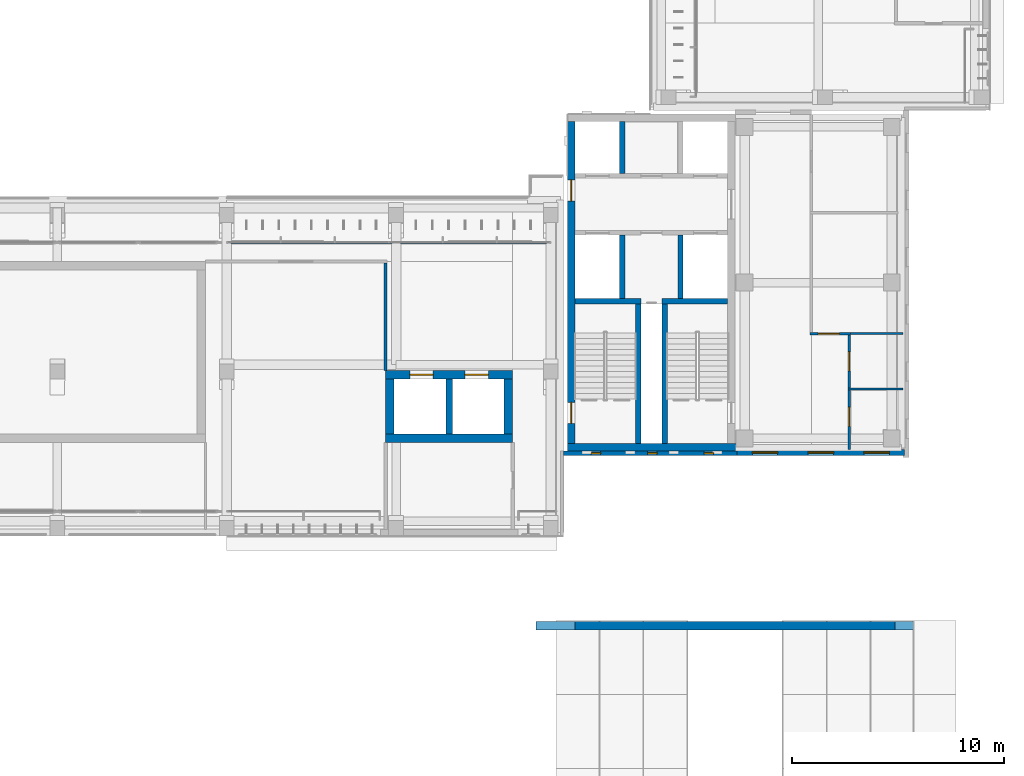
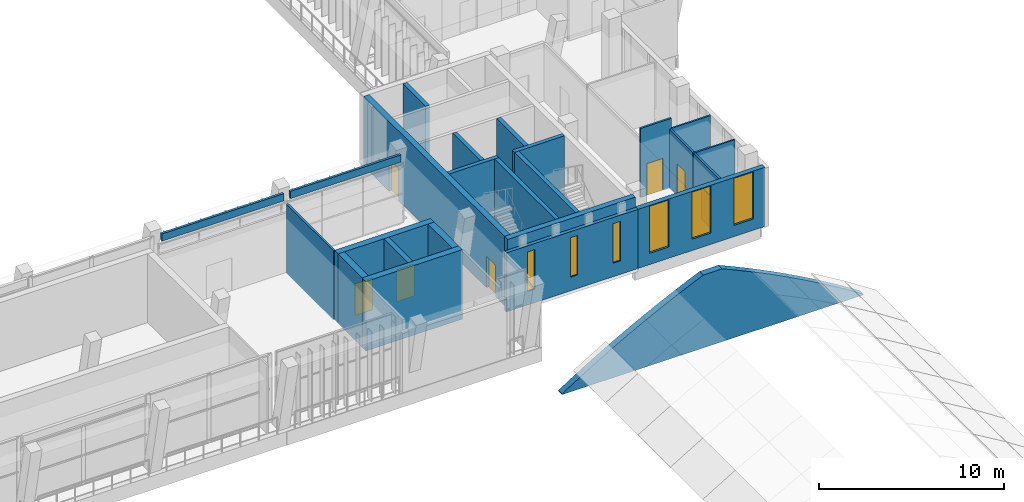
# One storey, part 44 of 74: 24 walls, 7 doors, 6 windows, 13 openings.
"""IFC4 building model written with IfcOpenShell, lengths in metres."""

import ifcopenshell
import ifcopenshell.guid

model = None  # the IFC model being written
_history = None  # IfcOwnerHistory: only IFC2X3 demands one
_inside = {}  # id of a spatial element -> (the spatial element, [elements in it])
_under = {}  # id of a project, library or spatial element -> (it, [spatial elements below it])
_declared = {}  # id of a project -> (the project, [libraries it declares])
_typed = {}  # id of a type object -> (the type object, [elements of that type])
_made_of = {}  # id of a material, layer set ... -> (it, [elements and type objects made of it])


def new_model(schema):
    """Start an empty IFC model of exactly this schema.

    Asked for "IFC4X3", IfcOpenShell would pick the latest addendum, in which some entities
    have other attributes; the version numbers below select the first issue.
    IFC2X3 requires an IfcOwnerHistory on every rooted entity: one is made here for all.
    """
    global model, _history
    if schema == "IFC4X3":
        model = ifcopenshell.file(schema_version=(4, 3, 0, 0))
    else:
        model = ifcopenshell.file(schema=schema)
    _inside.clear()
    _under.clear()
    _declared.clear()
    _typed.clear()
    _made_of.clear()
    _history = None
    if model.schema == "IFC2X3":
        org = make("IfcOrganization", Name="unknown")
        user = make(
            "IfcPersonAndOrganization",
            ThePerson=make("IfcPerson", FamilyName="unknown"),
            TheOrganization=org,
        )
        app = make(
            "IfcApplication",
            ApplicationDeveloper=org,
            Version="unknown",
            ApplicationFullName="unknown",
            ApplicationIdentifier="unknown",
        )
        _history = make(
            "IfcOwnerHistory",
            OwningUser=user,
            OwningApplication=app,
            ChangeAction="ADDED",
            CreationDate=0,
        )
    return model


def make(cls, **values):
    """One entity of the class cls with the attributes given. An attribute that is None is left unset."""
    return model.create_entity(
        cls, **{name: value for name, value in values.items() if value is not None}
    )


def rooted(cls, **values):
    """An entity with a GlobalId (a new one), such as an element, a storey or a relation."""
    return make(cls, GlobalId=ifcopenshell.guid.new(), OwnerHistory=_history, **values)


def si_unit(unit_type, name, prefix=None):
    """IfcSIUnit, for example si_unit("LENGTHUNIT", "METRE", prefix="MILLI")."""
    return make("IfcSIUnit", UnitType=unit_type, Prefix=prefix, Name=name)


def assignment(units):
    """IfcUnitAssignment: the units of a project."""
    return None if units is None else make("IfcUnitAssignment", Units=units)


def point(xyz):
    """IfcCartesianPoint."""
    return None if xyz is None else make("IfcCartesianPoint", Coordinates=xyz)


def direction(xyz):
    """IfcDirection."""
    return None if xyz is None else make("IfcDirection", DirectionRatios=xyz)


def frame(location, z_axis=None, x_axis=None):
    """IfcAxis2Placement3D, a coordinate frame: its origin and axes. An axis left out is left unset."""
    return make(
        "IfcAxis2Placement3D",
        Location=point(location),
        Axis=direction(z_axis),
        RefDirection=direction(x_axis),
    )


def frame_2d(location, x_axis=None):
    """IfcAxis2Placement2D, a coordinate frame in the plane: its origin and x axis."""
    return make(
        "IfcAxis2Placement2D", Location=point(location), RefDirection=direction(x_axis)
    )


def origin():
    """The frame at (0, 0, 0) with its axes left unset."""
    return frame((0.0, 0.0, 0.0))


def place(relative_to, where):
    """IfcLocalPlacement: puts the frame where relative to a parent placement (None: the world)."""
    return make(
        "IfcLocalPlacement", PlacementRelTo=relative_to, RelativePlacement=where
    )


def context(
    kind, dimensions, precision=None, world=None, true_north=None, identifier=None
):
    """IfcGeometricRepresentationContext, for example the 3D "Model" context."""
    return make(
        "IfcGeometricRepresentationContext",
        ContextIdentifier=identifier,
        ContextType=kind,
        CoordinateSpaceDimension=dimensions,
        Precision=precision,
        WorldCoordinateSystem=world,
        TrueNorth=true_north,
    )


def subcontext(parent, identifier, kind, view, scale=None):
    """IfcGeometricRepresentationSubContext, for example "Body" below "Model"."""
    return make(
        "IfcGeometricRepresentationSubContext",
        ContextIdentifier=identifier,
        ContextType=kind,
        ParentContext=parent,
        TargetScale=scale,
        TargetView=view,
    )


def project(units=None, contexts=None):
    """IfcProject with its units and contexts."""
    return rooted(
        "IfcProject",
        Name="project",
        RepresentationContexts=contexts,
        UnitsInContext=assignment(units),
    )


def spatial(cls, under=None, at=None, **own):
    """A site, building, storey or space (cls), placed at a placement, below another one or the project."""
    s = rooted(cls, ObjectPlacement=at, **own)
    if under is not None:
        _under.setdefault(under.id(), (under, []))[1].append(s)
    return s


def polyline(points):
    """IfcPolyline through the points."""
    return make("IfcPolyline", Points=[point(p) for p in points])


def profile(cls, at=None, kind="AREA", **sizes):
    """A parametric profile (cls). Its sizes go by their IFC names, for example OverallWidth=200.0."""
    return make(cls, ProfileType=kind, Position=at, **sizes)


def rectangle(**sizes):
    """IfcRectangleProfileDef."""
    return profile("IfcRectangleProfileDef", **sizes)


def outline(outer, holes=None, kind="AREA"):
    """IfcArbitraryClosedProfileDef: a profile drawn as a closed curve; with holes, ...WithVoids."""
    if holes is None:
        return make("IfcArbitraryClosedProfileDef", ProfileType=kind, OuterCurve=outer)
    return make(
        "IfcArbitraryProfileDefWithVoids",
        ProfileType=kind,
        OuterCurve=outer,
        InnerCurves=holes,
    )


def extrude(swept, where, along, depth):
    """IfcExtrudedAreaSolid: the profile swept, set in the frame where, extruded along a direction by depth."""
    return make(
        "IfcExtrudedAreaSolid",
        SweptArea=swept,
        Position=where,
        ExtrudedDirection=direction(along),
        Depth=depth,
    )


def shape(context_of_items, identifier, shape_type, items):
    """IfcShapeRepresentation: the items that make up one representation, for example the "Body"."""
    return make(
        "IfcShapeRepresentation",
        ContextOfItems=context_of_items,
        RepresentationIdentifier=identifier,
        RepresentationType=shape_type,
        Items=items,
    )


def material(Name=None, Category=None):
    """IfcMaterial."""
    return make("IfcMaterial", Name=Name, Category=Category)


def layer(
    of_material, thickness, ventilated=None, Name=None, Category=None, Priority=None
):
    """IfcMaterialLayer: one layer of a wall or slab, of a material (None: an air gap)."""
    return make(
        "IfcMaterialLayer",
        Material=of_material,
        LayerThickness=thickness,
        IsVentilated=ventilated,
        Name=Name,
        Category=Category,
        Priority=Priority,
    )


def layer_set(layers, Name=None):
    """IfcMaterialLayerSet."""
    return make("IfcMaterialLayerSet", MaterialLayers=layers, LayerSetName=Name)


def made_of(thing, what):
    """Note that an element or type object is made of a material, layer set ...; save() writes the relation."""
    if what is not None:
        _made_of.setdefault(what.id(), (what, []))[1].append(thing)
    return thing


def type_object(cls, material=None, **own):
    """A type object (cls), such as IfcWallType, which elements share."""
    return made_of(rooted(cls, **own), material)


def element(
    cls,
    number,
    at=None,
    inside=None,
    cuts=None,
    type_object=None,
    material=None,
    context=None,
    identifier="Body",
    shape_type=None,
    held_by="IfcProductDefinitionShape",
    body=None,
    shapes=None,
    **own,
):
    """One element of the class cls, such as IfcWall. Its Tag is "e" and its number.

    at: its placement. inside: the storey or other place that contains it. cuts: it is an
    opening in that element (IfcRelVoidsElement). A single representation is given by context,
    identifier, shape_type and body (its items); several are given by shapes. held_by: the class
    of the entity that holds the representations. save() writes the other relations.
    """
    e = rooted(cls, Tag="e%d" % number, ObjectPlacement=at, **own)
    if body is not None:
        shapes = [shape(context, identifier, shape_type, body)]
    if shapes is not None:
        e.Representation = make(held_by, Representations=shapes)
    if inside is not None:
        _inside.setdefault(inside.id(), (inside, []))[1].append(e)
    if cuts is not None:
        rooted(
            "IfcRelVoidsElement", RelatingBuildingElement=cuts, RelatedOpeningElement=e
        )
    if type_object is not None:
        _typed.setdefault(type_object.id(), (type_object, []))[1].append(e)
    return made_of(e, material)


def fill(opening, filler):
    """IfcRelFillsElement: the door or window that sits in an opening."""
    return rooted(
        "IfcRelFillsElement",
        RelatingOpeningElement=opening,
        RelatedBuildingElement=filler,
    )


def aggregate(whole, parts):
    """IfcRelAggregates: a whole, such as a stair, and the parts it consists of."""
    return rooted("IfcRelAggregates", RelatingObject=whole, RelatedObjects=parts)


def save(model, path):
    """Write the relations noted so far, then the file.

    IfcRelAggregates (storeys below a building ...), IfcRelContainedInSpatialStructure (elements
    in a storey), IfcRelDefinesByType, IfcRelAssociatesMaterial and IfcRelDeclares: one each for
    every whole, place, type object, material and project.
    """
    for whole, parts in _under.values():
        aggregate(whole, parts)
    for where, things in _inside.values():
        rooted(
            "IfcRelContainedInSpatialStructure",
            RelatedElements=things,
            RelatingStructure=where,
        )
    for kind, things in _typed.values():
        rooted("IfcRelDefinesByType", RelatedObjects=things, RelatingType=kind)
    for what, things in _made_of.values():
        rooted("IfcRelAssociatesMaterial", RelatedObjects=things, RelatingMaterial=what)
    for by, libraries in _declared.values():
        rooted("IfcRelDeclares", RelatingContext=by, RelatedDefinitions=libraries)
    model.write(path)


model = new_model("IFC4")

# Units and contexts
model_context = context("Model", 3, precision=1e-05, world=origin(), true_north=direction((0.0, 1.0)))
body_context = subcontext(model_context, "Body", "Model", "MODEL_VIEW")
ifc_project = project(units=[si_unit("LENGTHUNIT", "METRE"), si_unit("AREAUNIT", "SQUARE_METRE"), si_unit("VOLUMEUNIT", "CUBIC_METRE"), si_unit("PLANEANGLEUNIT", "RADIAN"), si_unit("MASSUNIT", "GRAM", prefix="KILO")], contexts=[model_context])

# Site, building, storey
site_placement = place(None, origin())
site = spatial("IfcSite", under=ifc_project, at=site_placement, CompositionType="ELEMENT")
building_placement = place(site_placement, origin())
building = spatial("IfcBuilding", under=site, at=building_placement, Name="Lantern Court Media Centre", CompositionType="ELEMENT")
storey_placement = place(building_placement, frame((0.0, 0.0, 19.199951171875)))
storey = spatial("IfcBuildingStorey", under=building, at=storey_placement, Name="L04", CompositionType="ELEMENT", Elevation=19.199951171875)

# Wall
ifc_material_1 = material(Name="Gypsum board partition")
ifc_layer_1 = layer(ifc_material_1, 0.125)
ifc_layer_set_1 = layer_set([ifc_layer_1], Name="Gypsum board partition")
wall_type_1 = type_object("IfcWallType", Name="Corridor partition 125", PredefinedType="PARTITIONING", material=ifc_layer_set_1)
wall_1_placement = place(storey_placement, frame((71.5, 51.800048828125, 0.0), z_axis=(0.0, 0.0, 1.0), x_axis=(0.0, 1.0, 0.0)))
element("IfcWall", 1, at=wall_1_placement, inside=storey, type_object=wall_type_1, Name="L04 partition 010", PredefinedType="PARTITIONING", context=body_context, shape_type="SweptSolid", body=[
    extrude(rectangle(XDim=5.08740234375, YDim=0.125, at=frame_2d((2.543701171875, 0.0))), origin(), (0.0, 0.0, 1.0), 4.56005859375),
])

# Wall, opening, door
wall_2_placement = place(storey_placement, frame((91.53759765625, 53.5419921875, 0.0), z_axis=(0.0, 0.0, 1.0), x_axis=(1.0, 0.0, 0.0)))
wall_2 = element("IfcWall", 2, at=wall_2_placement, inside=storey, type_object=wall_type_1, Name="L04 partition 050", PredefinedType="PARTITIONING", context=body_context, shape_type="SweptSolid", body=[
    extrude(rectangle(XDim=1.9248046875, YDim=0.125, at=frame_2d((0.96240234375, 0.0))), origin(), (0.0, 0.0, 1.0), 4.56005859375),
])
opening_1_placement = place(wall_2_placement, frame((0.389892578125, 0.0, 0.0)))
opening_1 = element("IfcOpeningElement", 3, at=opening_1_placement, cuts=wall_2, Name="Opening L04-033", PredefinedType="OPENING", context=body_context, shape_type="SweptSolid", body=[
    extrude(rectangle(XDim=1.0, YDim=2.10009765625, at=frame_2d((0.5, 1.050048828125))), frame((0.0, 0.072509765625, 0.0), z_axis=(0.0, -1.0, 0.0), x_axis=(1.0, 0.0, 0.0)), (0.0, 0.0, 1.0), 0.14501953125),
])
ifc_material_2 = material(Name="Solid-core timber door leaf", Category="wood")
door_type_1 = type_object("IfcDoorType", Name="Single door 1000x2100", OperationType="NOTDEFINED", PredefinedType="DOOR", material=ifc_material_2)
door_1_placement = place(opening_1_placement, origin())
door_1 = element("IfcDoor", 4, at=door_1_placement, inside=storey, type_object=door_type_1, Name="L04 Children's and Youth Media Room door", OperationType="SINGLE_SWING_RIGHT", OverallHeight=2.10009765625, OverallWidth=1.0, PredefinedType="DOOR", context=body_context, shape_type="SweptSolid", body=[
    extrude(rectangle(XDim=1.0, YDim=2.10009765625, at=frame_2d((0.5, 1.050048828125))), frame((0.0, 0.02490234375, 0.0), z_axis=(0.0, -1.0, 0.0), x_axis=(1.0, 0.0, 0.0)), (0.0, 0.0, 1.0), 0.050048828125),
])
fill(opening_1, door_1)

# Wall, openings, doors
wall_3_placement = place(storey_placement, frame((93.39990234375, 48.080078125, 0.0), z_axis=(0.0, 0.0, 1.0), x_axis=(0.0, 1.0, 0.0)))
wall_3 = element("IfcWall", 5, at=wall_3_placement, inside=storey, type_object=wall_type_1, Name="L04 partition 053", PredefinedType="PARTITIONING", context=body_context, shape_type="SweptSolid", body=[
    extrude(rectangle(XDim=5.399658203125, YDim=0.125, at=frame_2d((2.69970703125, 0.0))), origin(), (0.0, 0.0, 1.0), 3.880126953125),
])
opening_2_placement = place(wall_3_placement, frame((1.08056640625, 0.0, 0.0)))
opening_2 = element("IfcOpeningElement", 6, at=opening_2_placement, cuts=wall_3, Name="Opening L04-035", PredefinedType="OPENING", context=body_context, shape_type="SweptSolid", body=[
    extrude(rectangle(XDim=0.89990234375, YDim=2.10009765625, at=frame_2d((0.449951171875, 1.050048828125))), frame((0.0, 0.072509765625, 0.0), z_axis=(0.0, -1.0, 0.0), x_axis=(1.0, 0.0, 0.0)), (0.0, 0.0, 1.0), 0.14501953125),
])
opening_3_placement = place(wall_3_placement, frame((3.70166015625, 0.0, 0.0)))
opening_3 = element("IfcOpeningElement", 7, at=opening_3_placement, cuts=wall_3, Name="Opening L04-036", PredefinedType="OPENING", context=body_context, shape_type="SweptSolid", body=[
    extrude(rectangle(XDim=0.89990234375, YDim=2.10009765625, at=frame_2d((0.449951171875, 1.050048828125))), frame((0.0, 0.072509765625, 0.0), z_axis=(0.0, -1.0, 0.0), x_axis=(1.0, 0.0, 0.0)), (0.0, 0.0, 1.0), 0.14501953125),
])
door_type_2 = type_object("IfcDoorType", Name="Single door 900x2100", OperationType="NOTDEFINED", PredefinedType="DOOR", material=ifc_material_2)
door_2_placement = place(opening_2_placement, frame((0.89990234375, 0.0, 0.0), z_axis=(0.0, 0.0, 1.0), x_axis=(-1.0, 0.0, 0.0)))
door_2 = element("IfcDoor", 8, at=door_2_placement, inside=storey, type_object=door_type_2, Name="L04 WC Male door", OperationType="SINGLE_SWING_RIGHT", OverallHeight=2.10009765625, OverallWidth=0.89990234375, PredefinedType="DOOR", context=body_context, shape_type="SweptSolid", body=[
    extrude(rectangle(XDim=0.89990234375, YDim=2.10009765625, at=frame_2d((0.449951171875, 1.050048828125))), frame((0.0, 0.02490234375, 0.0), z_axis=(0.0, -1.0, 0.0), x_axis=(1.0, 0.0, 0.0)), (0.0, 0.0, 1.0), 0.050048828125),
])
fill(opening_2, door_2)
door_3_placement = place(opening_3_placement, frame((0.89990234375, 0.0, 0.0), z_axis=(0.0, 0.0, 1.0), x_axis=(-1.0, 0.0, 0.0)))
door_3 = element("IfcDoor", 9, at=door_3_placement, inside=storey, type_object=door_type_2, Name="L04 WC Female door", OperationType="SINGLE_SWING_LEFT", OverallHeight=2.10009765625, OverallWidth=0.89990234375, PredefinedType="DOOR", context=body_context, shape_type="SweptSolid", body=[
    extrude(rectangle(XDim=0.89990234375, YDim=2.10009765625, at=frame_2d((0.449951171875, 1.050048828125))), frame((0.0, 0.02490234375, 0.0), z_axis=(0.0, -1.0, 0.0), x_axis=(1.0, 0.0, 0.0)), (0.0, 0.0, 1.0), 0.050048828125),
])
fill(opening_3, door_3)

# Walls
ifc_material_3 = material(Name="Limestone masonry, insulated", Category="masonry")
ifc_layer_2 = layer(ifc_material_3, 0.39990234375)
ifc_layer_set_2 = layer_set([ifc_layer_2], Name="Limestone masonry, insulated")
wall_type_2 = type_object("IfcWallType", Name="Hall upper gable wall, stone-faced masonry 400", PredefinedType="SOLIDWALL", material=ifc_layer_set_2)
wall_4_placement = place(storey_placement, frame((78.613525390625, 39.75, 0.0), z_axis=(0.0, 0.0, 1.0), x_axis=(1.0, 0.0, 0.0)))
element("IfcWall", 10, at=wall_4_placement, inside=storey, type_object=wall_type_2, Name="Studio Hall north gable L04", PredefinedType="SOLIDWALL", context=body_context, shape_type="SweptSolid", body=[
    extrude(outline(polyline([(0.0, 0.0), (18.77294921875, 0.0), (18.772705078125, 0.050048828125), (18.52587890625, 0.21044921875), (18.27880859375, 0.369140625), (18.03173828125, 0.52587890625), (17.784912109375, 0.68115234375), (17.53759765625, 0.834716796875), (17.290771484375, 0.986572265625), (17.043701171875, 1.136962890625), (16.796630859375, 1.28564453125), (16.5498046875, 1.4326171875), (16.302734375, 1.578125), (16.0556640625, 1.721923828125), (15.80859375, 1.8642578125), (15.561767578125, 2.0048828125), (15.314697265625, 2.14404296875), (15.067626953125, 2.28173828125), (14.820556640625, 2.41796875), (14.573486328125, 2.552734375), (14.32666015625, 2.685791015625), (14.07958984375, 2.8173828125), (13.83251953125, 2.947509765625), (13.585693359375, 3.076416015625), (13.338623046875, 3.20361328125), (13.091552734375, 3.329345703125), (12.844482421875, 3.453857421875), (12.597412109375, 3.57666015625), (12.3505859375, 3.6982421875), (12.103515625, 3.818359375), (11.8564453125, 3.937255859375), (11.609619140625, 4.054443359375), (11.362548828125, 4.170654296875), (11.115478515625, 4.28515625), (10.868408203125, 4.3984375), (10.621337890625, 4.510498046875), (10.37451171875, 4.620849609375), (10.12744140625, 4.730224609375), (9.968017578125, 4.800048828125), (9.88037109375, 4.800048828125), (9.63330078125, 4.800048828125), (9.386474609375, 4.800048828125), (9.139404296875, 4.800048828125), (8.892333984375, 4.800048828125), (8.8046875, 4.800048828125), (8.6455078125, 4.730224609375), (8.3984375, 4.620849609375), (8.1513671875, 4.510498046875), (7.904296875, 4.3984375), (7.6572265625, 4.28515625), (7.410400390625, 4.170654296875), (7.163330078125, 4.054443359375), (6.916259765625, 3.937255859375), (6.669189453125, 3.818359375), (6.42236328125, 3.6982421875), (6.17529296875, 3.57666015625), (5.92822265625, 3.453857421875), (5.68115234375, 3.329345703125), (5.43408203125, 3.20361328125), (5.187255859375, 3.076416015625), (4.940185546875, 2.947509765625), (4.693115234375, 2.8173828125), (4.4462890625, 2.685791015625), (4.19921875, 2.552734375), (3.9521484375, 2.41796875), (3.705078125, 2.28173828125), (3.4580078125, 2.14404296875), (3.211181640625, 2.0048828125), (2.964111328125, 1.8642578125), (2.717041015625, 1.721923828125), (2.47021484375, 1.578125), (2.22314453125, 1.4326171875), (1.97607421875, 1.28564453125), (1.72900390625, 1.136962890625), (1.482177734375, 0.986572265625), (1.235107421875, 0.834716796875), (0.988037109375, 0.68115234375), (0.740966796875, 0.52587890625), (0.493896484375, 0.369140625), (0.2470703125, 0.21044921875), (0.0, 0.050048828125), (0.0, 0.0)])), frame((0.0, 0.199951171875, 0.0), z_axis=(0.0, -1.0, 0.0), x_axis=(1.0, 0.0, 0.0)), (0.0, 0.0, 1.0), 0.39990234375),
])
ifc_material_4 = material(Name="Insulated rendered blockwork", Category="masonry")
ifc_layer_3 = layer(ifc_material_4, 0.14990234375)
ifc_layer_set_3 = layer_set([ifc_layer_3], Name="Insulated rendered blockwork")
wall_type_3 = type_object("IfcWallType", Name="Head infill wall 150", PredefinedType="SOLIDWALL", material=ifc_layer_set_3)
wall_5_placement = place(storey_placement, frame((64.199951171875, 57.85009765625, 4.10009765625), z_axis=(0.0, 0.0, 1.0), x_axis=(1.0, 0.0, 0.0)))
element("IfcWall", 11, at=wall_5_placement, inside=storey, type_object=wall_type_3, Name="Head infill wall S inner L04", PredefinedType="SOLIDWALL", context=body_context, shape_type="SweptSolid", body=[
    extrude(rectangle(XDim=7.60009765625, YDim=0.14990234375, at=frame_2d((3.800048828125, 0.0))), origin(), (0.0, 0.0, 1.0), 0.47998046875),
])
wall_6_placement = place(storey_placement, frame((72.199951171875, 57.85009765625, 4.10009765625), z_axis=(0.0, 0.0, 1.0), x_axis=(1.0, 0.0, 0.0)))
element("IfcWall", 12, at=wall_6_placement, inside=storey, type_object=wall_type_3, Name="Head infill wall S inner L04", PredefinedType="SOLIDWALL", context=body_context, shape_type="SweptSolid", body=[
    extrude(rectangle(XDim=6.900146484375, YDim=0.14990234375, at=frame_2d((3.4501953125, 0.0))), origin(), (0.0, 0.0, 1.0), 0.47998046875),
])

# Wall, openings, windows
ifc_material_5 = material(Name="Honed limestone cladding on blockwork", Category="masonry")
ifc_layer_4 = layer(ifc_material_5, 0.300048828125)
ifc_layer_set_4 = layer_set([ifc_layer_4], Name="Honed limestone cladding on blockwork")
wall_type_4 = type_object("IfcWallType", Name="Limestone block wall 300", PredefinedType="SOLIDWALL", material=ifc_layer_set_4)
wall_7_placement = place(storey_placement, frame((88.10009765625, 47.929931640625, 0.0), z_axis=(0.0, 0.0, 1.0), x_axis=(1.0, 0.0, 0.0)))
wall_7 = element("IfcWall", 13, at=wall_7_placement, inside=storey, type_object=wall_type_4, Name="Limestone wall SE S L04", PredefinedType="SOLIDWALL", context=body_context, shape_type="SweptSolid", body=[
    extrude(rectangle(XDim=7.89990234375, YDim=0.300048828125, at=frame_2d((3.949951171875, 0.0))), origin(), (0.0, 0.0, 1.0), 3.900146484375),
])
opening_4_placement = place(wall_7_placement, frame((0.716552734375, 0.0, 0.75)))
opening_4 = element("IfcOpeningElement", 14, at=opening_4_placement, cuts=wall_7, Name="Opening WN-T", PredefinedType="OPENING", context=body_context, shape_type="SweptSolid", body=[
    extrude(rectangle(XDim=1.199951171875, YDim=3.10009765625, at=frame_2d((0.60009765625, 1.550048828125))), frame((0.0, 0.159912109375, 0.0), z_axis=(0.0, -1.0, 0.0), x_axis=(1.0, 0.0, 0.0)), (0.0, 0.0, 1.0), 0.320068359375),
])
opening_5_placement = place(wall_7_placement, frame((3.35009765625, 0.0, 0.75)))
opening_5 = element("IfcOpeningElement", 15, at=opening_5_placement, cuts=wall_7, Name="Opening WN-T", PredefinedType="OPENING", context=body_context, shape_type="SweptSolid", body=[
    extrude(rectangle(XDim=1.199951171875, YDim=3.10009765625, at=frame_2d((0.60009765625, 1.550048828125))), frame((0.0, 0.159912109375, 0.0), z_axis=(0.0, -1.0, 0.0), x_axis=(1.0, 0.0, 0.0)), (0.0, 0.0, 1.0), 0.320068359375),
])
opening_6_placement = place(wall_7_placement, frame((5.9833984375, 0.0, 0.75)))
opening_6 = element("IfcOpeningElement", 16, at=opening_6_placement, cuts=wall_7, Name="Opening WN-T", PredefinedType="OPENING", context=body_context, shape_type="SweptSolid", body=[
    extrude(rectangle(XDim=1.199951171875, YDim=3.10009765625, at=frame_2d((0.60009765625, 1.550048828125))), frame((0.0, 0.159912109375, 0.0), z_axis=(0.0, -1.0, 0.0), x_axis=(1.0, 0.0, 0.0)), (0.0, 0.0, 1.0), 0.320068359375),
])
ifc_material_6 = material(Name="Anodised aluminium and glass", Category="aluminium")
window_type_1 = type_object("IfcWindowType", Name="Tall window 1200x3100", PartitioningType="SINGLE_PANEL", PredefinedType="WINDOW", material=ifc_material_6)
window_1_placement = place(opening_4_placement, origin())
window_1 = element("IfcWindow", 17, at=window_1_placement, inside=storey, type_object=window_type_1, Name="Window SE S L04", OverallHeight=3.10009765625, OverallWidth=1.199951171875, PartitioningType="SINGLE_PANEL", PredefinedType="WINDOW", context=body_context, shape_type="SweptSolid", body=[
    extrude(rectangle(XDim=1.199951171875, YDim=3.10009765625, at=frame_2d((0.60009765625, 1.550048828125))), frame((0.0, 0.030029296875, 0.0), z_axis=(0.0, -1.0, 0.0), x_axis=(1.0, 0.0, 0.0)), (0.0, 0.0, 1.0), 0.06005859375),
])
fill(opening_4, window_1)
window_2_placement = place(opening_5_placement, origin())
window_2 = element("IfcWindow", 18, at=window_2_placement, inside=storey, type_object=window_type_1, Name="Window SE S L04", OverallHeight=3.10009765625, OverallWidth=1.199951171875, PartitioningType="SINGLE_PANEL", PredefinedType="WINDOW", context=body_context, shape_type="SweptSolid", body=[
    extrude(rectangle(XDim=1.199951171875, YDim=3.10009765625, at=frame_2d((0.60009765625, 1.550048828125))), frame((0.0, 0.030029296875, 0.0), z_axis=(0.0, -1.0, 0.0), x_axis=(1.0, 0.0, 0.0)), (0.0, 0.0, 1.0), 0.06005859375),
])
fill(opening_5, window_2)
window_3_placement = place(opening_6_placement, origin())
window_3 = element("IfcWindow", 19, at=window_3_placement, inside=storey, type_object=window_type_1, Name="Window SE S L04", OverallHeight=3.10009765625, OverallWidth=1.199951171875, PartitioningType="SINGLE_PANEL", PredefinedType="WINDOW", context=body_context, shape_type="SweptSolid", body=[
    extrude(rectangle(XDim=1.199951171875, YDim=3.10009765625, at=frame_2d((0.60009765625, 1.550048828125))), frame((0.0, 0.030029296875, 0.0), z_axis=(0.0, -1.0, 0.0), x_axis=(1.0, 0.0, 0.0)), (0.0, 0.0, 1.0), 0.06005859375),
])
fill(opening_6, window_3)

ifc_material_7 = material(Name="Honed limestone cladding on blockwork, reduced to 220 where it passes the core wall", Category="masonry")
ifc_layer_5 = layer(ifc_material_7, 0.219970703125)
ifc_layer_set_5 = layer_set([ifc_layer_5], Name="Honed limestone cladding on blockwork, reduced to 220 where it passes the core wall")
wall_type_5 = type_object("IfcWallType", Name="Limestone skin wall 220", PredefinedType="SOLIDWALL", material=ifc_layer_set_5)
wall_8_placement = place(storey_placement, frame((79.89990234375, 47.889892578125, 0.0), z_axis=(0.0, 0.0, 1.0), x_axis=(1.0, 0.0, 0.0)))
wall_8 = element("IfcWall", 20, at=wall_8_placement, inside=storey, type_object=wall_type_5, Name="Limestone wall SE S L04", PredefinedType="SOLIDWALL", context=body_context, shape_type="SweptSolid", body=[
    extrude(rectangle(XDim=8.2001953125, YDim=0.219970703125, at=frame_2d((4.10009765625, 0.0))), origin(), (0.0, 0.0, 1.0), 3.900146484375),
])
opening_7_placement = place(wall_8_placement, frame((1.308349609375, 0.0, 0.89990234375)))
opening_7 = element("IfcOpeningElement", 21, at=opening_7_placement, cuts=wall_8, Name="Opening WN-S", PredefinedType="OPENING", context=body_context, shape_type="SweptSolid", body=[
    extrude(rectangle(XDim=0.449951171875, YDim=2.60009765625, at=frame_2d((0.22509765625, 1.300048828125))), frame((0.0, 0.119873046875, 0.0), z_axis=(0.0, -1.0, 0.0), x_axis=(1.0, 0.0, 0.0)), (0.0, 0.0, 1.0), 0.239990234375),
])
opening_8_placement = place(wall_8_placement, frame((3.97509765625, 0.0, 0.89990234375)))
opening_8 = element("IfcOpeningElement", 22, at=opening_8_placement, cuts=wall_8, Name="Opening WN-S", PredefinedType="OPENING", context=body_context, shape_type="SweptSolid", body=[
    extrude(rectangle(XDim=0.449951171875, YDim=2.60009765625, at=frame_2d((0.22509765625, 1.300048828125))), frame((0.0, 0.119873046875, 0.0), z_axis=(0.0, -1.0, 0.0), x_axis=(1.0, 0.0, 0.0)), (0.0, 0.0, 1.0), 0.239990234375),
])
opening_9_placement = place(wall_8_placement, frame((6.6416015625, 0.0, 0.89990234375)))
opening_9 = element("IfcOpeningElement", 23, at=opening_9_placement, cuts=wall_8, Name="Opening WN-S", PredefinedType="OPENING", context=body_context, shape_type="SweptSolid", body=[
    extrude(rectangle(XDim=0.449951171875, YDim=2.60009765625, at=frame_2d((0.22509765625, 1.300048828125))), frame((0.0, 0.119873046875, 0.0), z_axis=(0.0, -1.0, 0.0), x_axis=(1.0, 0.0, 0.0)), (0.0, 0.0, 1.0), 0.239990234375),
])
window_type_2 = type_object("IfcWindowType", Name="Stair slit window 450x2600", PartitioningType="SINGLE_PANEL", PredefinedType="WINDOW", material=ifc_material_6)
window_4_placement = place(opening_7_placement, origin())
window_4 = element("IfcWindow", 24, at=window_4_placement, inside=storey, type_object=window_type_2, Name="Window SE S L04", OverallHeight=2.60009765625, OverallWidth=0.449951171875, PartitioningType="SINGLE_PANEL", PredefinedType="WINDOW", context=body_context, shape_type="SweptSolid", body=[
    extrude(rectangle(XDim=0.449951171875, YDim=2.60009765625, at=frame_2d((0.22509765625, 1.300048828125))), frame((0.0, 0.030029296875, 0.0), z_axis=(0.0, -1.0, 0.0), x_axis=(1.0, 0.0, 0.0)), (0.0, 0.0, 1.0), 0.06005859375),
])
fill(opening_7, window_4)
window_5_placement = place(opening_8_placement, origin())
window_5 = element("IfcWindow", 25, at=window_5_placement, inside=storey, type_object=window_type_2, Name="Window SE S L04", OverallHeight=2.60009765625, OverallWidth=0.449951171875, PartitioningType="SINGLE_PANEL", PredefinedType="WINDOW", context=body_context, shape_type="SweptSolid", body=[
    extrude(rectangle(XDim=0.449951171875, YDim=2.60009765625, at=frame_2d((0.22509765625, 1.300048828125))), frame((0.0, 0.030029296875, 0.0), z_axis=(0.0, -1.0, 0.0), x_axis=(1.0, 0.0, 0.0)), (0.0, 0.0, 1.0), 0.06005859375),
])
fill(opening_8, window_5)
window_6_placement = place(opening_9_placement, origin())
window_6 = element("IfcWindow", 26, at=window_6_placement, inside=storey, type_object=window_type_2, Name="Window SE S L04", OverallHeight=2.60009765625, OverallWidth=0.449951171875, PartitioningType="SINGLE_PANEL", PredefinedType="WINDOW", context=body_context, shape_type="SweptSolid", body=[
    extrude(rectangle(XDim=0.449951171875, YDim=2.60009765625, at=frame_2d((0.22509765625, 1.300048828125))), frame((0.0, 0.030029296875, 0.0), z_axis=(0.0, -1.0, 0.0), x_axis=(1.0, 0.0, 0.0)), (0.0, 0.0, 1.0), 0.06005859375),
])
fill(opening_9, window_6)

# Walls
ifc_layer_6 = layer(ifc_material_1, 0.10009765625)
ifc_layer_set_6 = layer_set([ifc_layer_6], Name="Gypsum board partition")
wall_type_6 = type_object("IfcWallType", Name="Partition 100", PredefinedType="PARTITIONING", material=ifc_layer_set_6)
for number, where, z_axis, x_axis, name in (
    (27, (93.33740234375, 53.5419921875, 0.0), (0.0, 0.0, 1.0), (1.0, 0.0, 0.0), "L04 partition 051"),
    (28, (93.33740234375, 50.9208984375, 0.0), (0.0, 0.0, 1.0), (1.0, 0.0, 0.0), "L04 partition 055"),
):
    element("IfcWall", number, at=place(storey_placement, frame(where, z_axis=z_axis, x_axis=x_axis)), inside=storey, type_object=wall_type_6, Name=name, PredefinedType="PARTITIONING", context=body_context, shape_type="SweptSolid", body=[
        extrude(rectangle(XDim=2.58251953125, YDim=0.10009765625, at=frame_2d((1.291259765625, 0.0))), origin(), (0.0, 0.0, 1.0), 3.880126953125),
    ])
ifc_material_8 = material(Name="Concrete C40", Category="concrete")
ifc_layer_7 = layer(ifc_material_8, 0.35009765625)
ifc_layer_set_7 = layer_set([ifc_layer_7], Name="Concrete C40")
wall_type_7 = type_object("IfcWallType", Name="RC CORE WALL 350", PredefinedType="SHEAR", material=ifc_layer_set_7)
wall_9_placement = place(storey_placement, frame((80.10009765625, 48.175048828125, 0.0), z_axis=(0.0, 0.0, 1.0), x_axis=(1.0, 0.0, 0.0)))
element("IfcWall", 29, at=wall_9_placement, inside=storey, type_object=wall_type_7, Name="WC-SE-L04-S", PredefinedType="SHEAR", context=body_context, shape_type="SweptSolid", body=[
    extrude(rectangle(XDim=7.949951171875, YDim=0.35009765625, at=frame_2d((3.97509765625, 0.0))), origin(), (0.0, 0.0, 1.0), 4.580078125),
])

# Wall, openings, doors
wall_10_placement = place(storey_placement, frame((80.27490234375, 48.35009765625, 0.0), z_axis=(0.0, 0.0, 1.0), x_axis=(0.0, 1.0, 0.0)))
wall_10 = element("IfcWall", 30, at=wall_10_placement, inside=storey, type_object=wall_type_7, Name="WC-SE-L04-W", PredefinedType="SHEAR", context=body_context, shape_type="SweptSolid", body=[
    extrude(rectangle(XDim=15.199951171875, YDim=0.35009765625, at=frame_2d((7.60009765625, 0.0))), origin(), (0.0, 0.0, 1.0), 4.580078125),
])
opening_10_placement = place(wall_10_placement, frame((0.949951171875, 0.0, 0.0)))
opening_10 = element("IfcOpeningElement", 31, at=opening_10_placement, cuts=wall_10, Name="Opening SE-L04-02", PredefinedType="OPENING", context=body_context, shape_type="SweptSolid", body=[
    extrude(rectangle(XDim=1.0, YDim=2.10009765625, at=frame_2d((0.5, 1.050048828125))), frame((0.0, 0.18505859375, 0.0), z_axis=(0.0, -1.0, 0.0), x_axis=(1.0, 0.0, 0.0)), (0.0, 0.0, 1.0), 0.3701171875),
])
opening_11_placement = place(wall_10_placement, frame((11.449951171875, 0.0, 0.0)))
opening_11 = element("IfcOpeningElement", 32, at=opening_11_placement, cuts=wall_10, Name="Opening SE-L04-06", PredefinedType="OPENING", context=body_context, shape_type="SweptSolid", body=[
    extrude(rectangle(XDim=1.0, YDim=2.10009765625, at=frame_2d((0.5, 1.050048828125))), frame((0.0, 0.18505859375, 0.0), z_axis=(0.0, -1.0, 0.0), x_axis=(1.0, 0.0, 0.0)), (0.0, 0.0, 1.0), 0.3701171875),
])
ifc_material_9 = material(Name="Steel door leaf", Category="steel")
door_type_3 = type_object("IfcDoorType", Name="Lift lobby single door 1000x2100", OperationType="NOTDEFINED", PredefinedType="DOOR", material=ifc_material_9)
door_4_placement = place(opening_11_placement, origin())
door_4 = element("IfcDoor", 33, at=door_4_placement, inside=storey, type_object=door_type_3, Name="L04 SE lift lobby east door", OperationType="SINGLE_SWING_LEFT", OverallHeight=2.10009765625, OverallWidth=1.0, PredefinedType="DOOR", context=body_context, shape_type="SweptSolid", body=[
    extrude(rectangle(XDim=1.0, YDim=2.10009765625, at=frame_2d((0.5, 1.050048828125))), frame((0.0, 0.02490234375, 0.0), z_axis=(0.0, -1.0, 0.0), x_axis=(1.0, 0.0, 0.0)), (0.0, 0.0, 1.0), 0.050048828125),
])
fill(opening_11, door_4)
door_type_4 = type_object("IfcDoorType", Name="Stair door 1000x2100", OperationType="NOTDEFINED", PredefinedType="DOOR", material=ifc_material_9)
door_5_placement = place(opening_10_placement, origin())
door_5 = element("IfcDoor", 34, at=door_5_placement, inside=storey, type_object=door_type_4, Name="L04 SE stair B door", OperationType="SINGLE_SWING_LEFT", OverallHeight=2.10009765625, OverallWidth=1.0, PredefinedType="DOOR", context=body_context, shape_type="SweptSolid", body=[
    extrude(rectangle(XDim=1.0, YDim=2.10009765625, at=frame_2d((0.5, 1.050048828125))), frame((0.0, 0.02490234375, 0.0), z_axis=(0.0, -1.0, 0.0), x_axis=(1.0, 0.0, 0.0)), (0.0, 0.0, 1.0), 0.050048828125),
])
fill(opening_10, door_5)

# Walls
ifc_layer_8 = layer(ifc_material_8, 0.300048828125)
ifc_layer_set_8 = layer_set([ifc_layer_8], Name="Concrete C40")
wall_type_8 = type_object("IfcWallType", Name="RC SHEAR WALL 300", PredefinedType="SHEAR", material=ifc_layer_set_8)
wall_11_placement = place(storey_placement, frame((74.5, 48.800048828125, 0.0), z_axis=(0.0, 0.0, 1.0), x_axis=(0.0, 1.0, 0.0)))
element("IfcWall", 35, at=wall_11_placement, inside=storey, type_object=wall_type_8, Name="WB-S-LC2-L04-D", PredefinedType="SHEAR", context=body_context, shape_type="SweptSolid", body=[
    extrude(rectangle(XDim=2.599853515625, YDim=0.300048828125, at=frame_2d((1.2998046875, 0.0))), origin(), (0.0, 0.0, 1.0), 4.580078125),
])
ifc_layer_9 = layer(ifc_material_8, 0.39990234375)
ifc_layer_set_9 = layer_set([ifc_layer_9], Name="Concrete C40")
wall_type_9 = type_object("IfcWallType", Name="RC SHEAR WALL 400", PredefinedType="SHEAR", material=ifc_layer_set_9)
wall_12_placement = place(storey_placement, frame((71.5, 48.60009765625, 0.0), z_axis=(0.0, 0.0, 1.0), x_axis=(1.0, 0.0, 0.0)))
element("IfcWall", 36, at=wall_12_placement, inside=storey, type_object=wall_type_9, Name="WB-S-LC2-L04-S", PredefinedType="SHEAR", context=body_context, shape_type="SweptSolid", body=[
    extrude(rectangle(XDim=6.0, YDim=0.39990234375, at=frame_2d((3.0, 0.0))), origin(), (0.0, 0.0, 1.0), 4.580078125),
])

# Wall, openings, doors
wall_13_placement = place(storey_placement, frame((71.5, 51.60009765625, 0.0), z_axis=(0.0, 0.0, 1.0), x_axis=(1.0, 0.0, 0.0)))
wall_13 = element("IfcWall", 37, at=wall_13_placement, inside=storey, type_object=wall_type_9, Name="WB-S-LC2-L04-N", PredefinedType="SHEAR", context=body_context, shape_type="SweptSolid", body=[
    extrude(rectangle(XDim=6.0, YDim=0.39990234375, at=frame_2d((3.0, 0.0))), origin(), (0.0, 0.0, 1.0), 4.580078125),
])
opening_12_placement = place(wall_13_placement, frame((1.14990234375, 0.0, 0.0)))
opening_12 = element("IfcOpeningElement", 38, at=opening_12_placement, cuts=wall_13, Name="Opening LD-S-LC2P-L04", PredefinedType="OPENING", context=body_context, shape_type="SweptSolid", body=[
    extrude(rectangle(XDim=1.10009765625, YDim=2.10009765625, at=frame_2d((0.550048828125, 1.050048828125))), frame((0.0, 0.2099609375, 0.0), z_axis=(0.0, -1.0, 0.0), x_axis=(1.0, 0.0, 0.0)), (0.0, 0.0, 1.0), 0.419921875),
])
opening_13_placement = place(wall_13_placement, frame((3.75, 0.0, 0.0)))
opening_13 = element("IfcOpeningElement", 39, at=opening_13_placement, cuts=wall_13, Name="Opening LD-S-LC2S-L04", PredefinedType="OPENING", context=body_context, shape_type="SweptSolid", body=[
    extrude(rectangle(XDim=1.10009765625, YDim=2.10009765625, at=frame_2d((0.550048828125, 1.050048828125))), frame((0.0, 0.2099609375, 0.0), z_axis=(0.0, -1.0, 0.0), x_axis=(1.0, 0.0, 0.0)), (0.0, 0.0, 1.0), 0.419921875),
])
door_type_5 = type_object("IfcDoorType", Name="Lift landing door 1100x2100", OperationType="DOUBLE_DOOR_SLIDING", PredefinedType="DOOR", material=ifc_material_9)
door_6_placement = place(opening_12_placement, origin())
door_6 = element("IfcDoor", 40, at=door_6_placement, inside=storey, type_object=door_type_5, Name="L04 S-LC2 passenger lift landing door", OperationType="DOUBLE_DOOR_SLIDING", OverallHeight=2.10009765625, OverallWidth=1.10009765625, PredefinedType="DOOR", context=body_context, shape_type="SweptSolid", body=[
    extrude(rectangle(XDim=1.10009765625, YDim=2.10009765625, at=frame_2d((0.550048828125, 1.050048828125))), frame((0.0, 0.02490234375, 0.0), z_axis=(0.0, -1.0, 0.0), x_axis=(1.0, 0.0, 0.0)), (0.0, 0.0, 1.0), 0.050048828125),
])
fill(opening_12, door_6)
door_7_placement = place(opening_13_placement, origin())
door_7 = element("IfcDoor", 41, at=door_7_placement, inside=storey, type_object=door_type_5, Name="L04 S-LC2 service lift landing door", OperationType="DOUBLE_DOOR_SLIDING", OverallHeight=2.10009765625, OverallWidth=1.10009765625, PredefinedType="DOOR", context=body_context, shape_type="SweptSolid", body=[
    extrude(rectangle(XDim=1.10009765625, YDim=2.10009765625, at=frame_2d((0.550048828125, 1.050048828125))), frame((0.0, 0.02490234375, 0.0), z_axis=(0.0, -1.0, 0.0), x_axis=(1.0, 0.0, 0.0)), (0.0, 0.0, 1.0), 0.050048828125),
])
fill(opening_13, door_7)

# Walls
for number, where, z_axis, x_axis, name in (
    (42, (71.699951171875, 48.800048828125, 0.0), (0.0, 0.0, 1.0), (0.0, 1.0, 0.0), "WB-S-LC2-L04-W"),
    (43, (77.300048828125, 48.800048828125, 0.0), (0.0, 0.0, 1.0), (0.0, 1.0, 0.0), "WB-S-LC2-L04-E"),
):
    element("IfcWall", number, at=place(storey_placement, frame(where, z_axis=z_axis, x_axis=x_axis)), inside=storey, type_object=wall_type_9, Name=name, PredefinedType="SHEAR", context=body_context, shape_type="SweptSolid", body=[
        extrude(rectangle(XDim=2.599853515625, YDim=0.39990234375, at=frame_2d((1.2998046875, 0.0))), origin(), (0.0, 0.0, 1.0), 4.580078125),
    ])
ifc_layer_10 = layer(ifc_material_8, 0.25)
ifc_layer_set_10 = layer_set([ifc_layer_10], Name="Concrete C40")
wall_type_10 = type_object("IfcWallType", Name="RC lift shaft wall 250", PredefinedType="SOLIDWALL", material=ifc_layer_set_10)
for number, where, z_axis, x_axis, name in (
    (44, (85.425048828125, 55.199951171875, 0.0), (0.0, 0.0, 1.0), (0.0, 1.0, 0.0), "L04 SE L1a"),
    (45, (82.675048828125, 55.199951171875, 0.0), (0.0, 0.0, 1.0), (0.0, 1.0, 0.0), "L04 SE L2a"),
):
    element("IfcWall", number, at=place(storey_placement, frame(where, z_axis=z_axis, x_axis=x_axis)), inside=storey, type_object=wall_type_10, Name=name, PredefinedType="SOLIDWALL", context=body_context, shape_type="SweptSolid", body=[
        extrude(rectangle(XDim=3.0, YDim=0.25, at=frame_2d((1.5, 0.0))), origin(), (0.0, 0.0, 1.0), 4.550048828125),
    ])
wall_14_placement = place(storey_placement, frame((82.675048828125, 61.10009765625, 0.0), z_axis=(0.0, 0.0, 1.0), x_axis=(0.0, 1.0, 0.0)))
element("IfcWall", 46, at=wall_14_placement, inside=storey, type_object=wall_type_10, Name="L04 SE L2b", PredefinedType="SOLIDWALL", context=body_context, shape_type="SweptSolid", body=[
    extrude(rectangle(XDim=2.449951171875, YDim=0.25, at=frame_2d((1.22509765625, 0.0))), origin(), (0.0, 0.0, 1.0), 4.550048828125),
])
ifc_layer_11 = layer(ifc_material_8, 0.25)
ifc_layer_set_11 = layer_set([ifc_layer_11], Name="Concrete C40")
wall_type_11 = type_object("IfcWallType", Name="RC stair shaft wall 250", PredefinedType="SOLIDWALL", material=ifc_layer_set_11)
for number, where, z_axis, x_axis, name in (
    (47, (84.675048828125, 48.35009765625, 0.0), (0.0, 0.0, 1.0), (0.0, 1.0, 0.0), "L04 SE SA"),
    (48, (83.425048828125, 48.35009765625, 0.0), (0.0, 0.0, 1.0), (0.0, 1.0, 0.0), "L04 SE SB"),
):
    element("IfcWall", number, at=place(storey_placement, frame(where, z_axis=z_axis, x_axis=x_axis)), inside=storey, type_object=wall_type_11, Name=name, PredefinedType="SOLIDWALL", context=body_context, shape_type="SweptSolid", body=[
        extrude(rectangle(XDim=6.599853515625, YDim=0.25, at=frame_2d((3.2998046875, 0.0))), origin(), (0.0, 0.0, 1.0), 4.550048828125),
    ])
wall_15_placement = place(storey_placement, frame((87.64990234375, 55.074951171875, 0.0), z_axis=(0.0, 0.0, 1.0), x_axis=(-1.0, 0.0, 0.0)))
element("IfcWall", 49, at=wall_15_placement, inside=storey, type_object=wall_type_11, Name="L04 SE SN1", PredefinedType="SOLIDWALL", context=body_context, shape_type="SweptSolid", body=[
    extrude(rectangle(XDim=3.099853515625, YDim=0.25, at=frame_2d((1.5498046875, 0.0))), origin(), (0.0, 0.0, 1.0), 4.550048828125),
])
wall_16_placement = place(storey_placement, frame((83.550048828125, 55.074951171875, 0.0), z_axis=(0.0, 0.0, 1.0), x_axis=(-1.0, 0.0, 0.0)))
element("IfcWall", 50, at=wall_16_placement, inside=storey, type_object=wall_type_11, Name="L04 SE SN2", PredefinedType="SOLIDWALL", context=body_context, shape_type="SweptSolid", body=[
    extrude(rectangle(XDim=3.10009765625, YDim=0.25, at=frame_2d((1.550048828125, 0.0))), origin(), (0.0, 0.0, 1.0), 4.550048828125),
])

save(model, "model.ifc")
